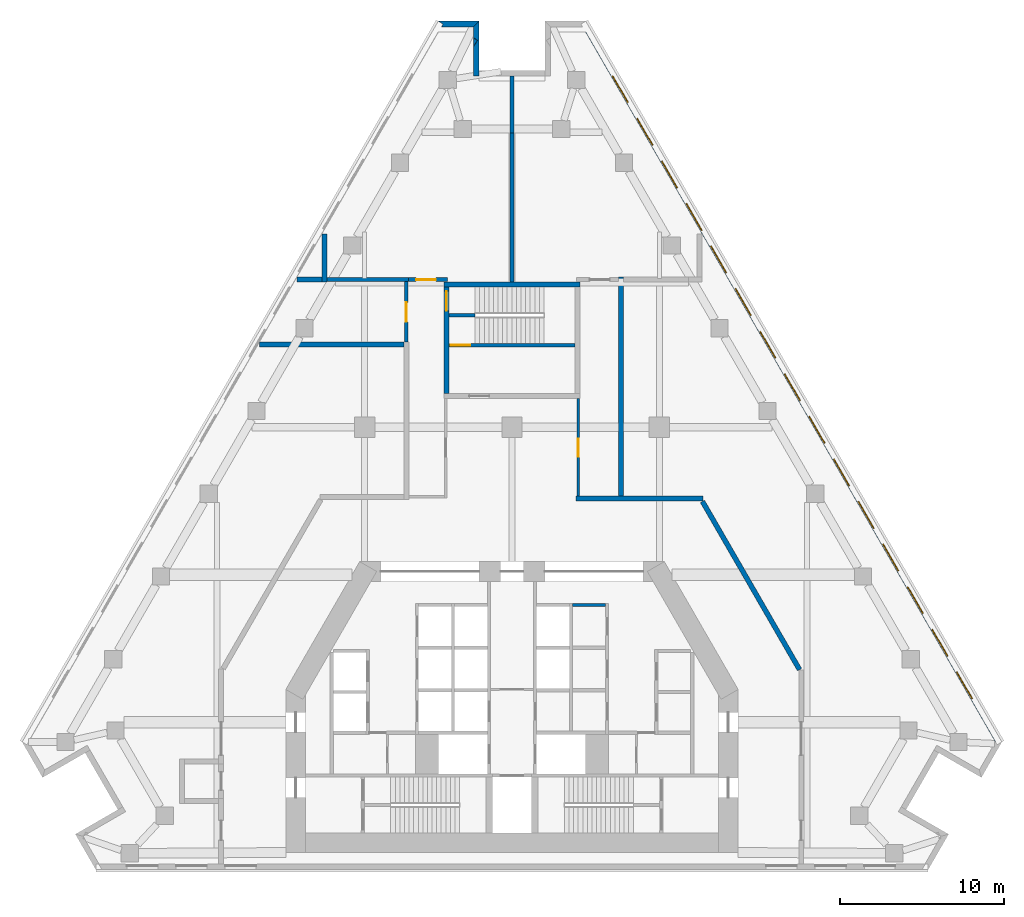
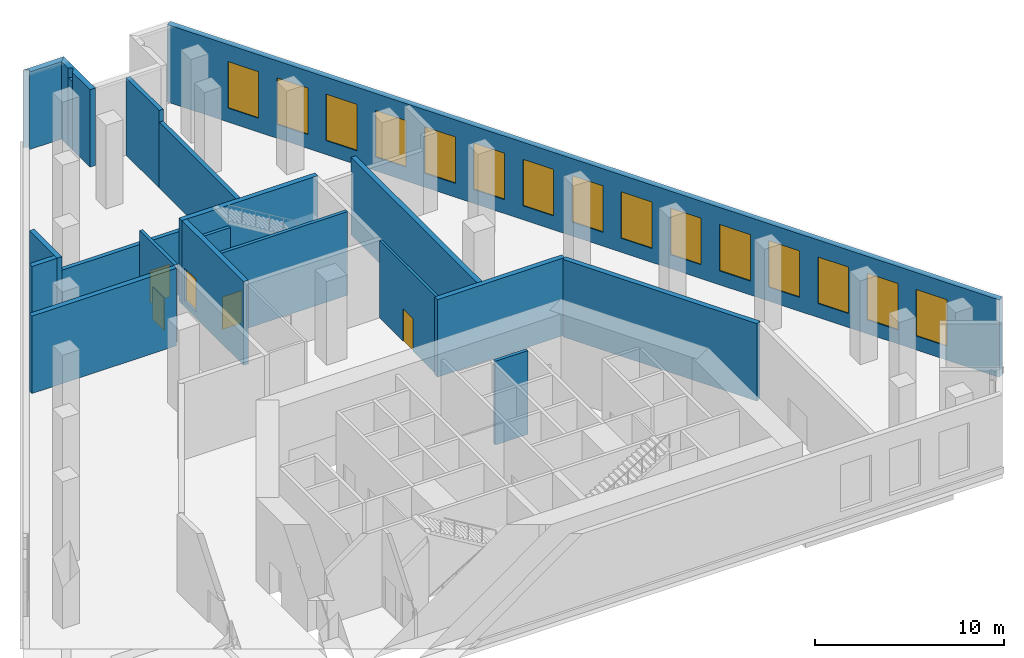
# One storey, part 8 of 10: 21 walls, 15 windows, 5 doors, 20 openings.
"""IFC4 building model written with IfcOpenShell, lengths in metres."""

import ifcopenshell
import ifcopenshell.guid

model = None  # the IFC model being written
_history = None  # IfcOwnerHistory: only IFC2X3 demands one
_inside = {}  # id of a spatial element -> (the spatial element, [elements in it])
_under = {}  # id of a project, library or spatial element -> (it, [spatial elements below it])
_declared = {}  # id of a project -> (the project, [libraries it declares])
_typed = {}  # id of a type object -> (the type object, [elements of that type])
_made_of = {}  # id of a material, layer set ... -> (it, [elements and type objects made of it])


def new_model(schema):
    """Start an empty IFC model of exactly this schema.

    Asked for "IFC4X3", IfcOpenShell would pick the latest addendum, in which some entities
    have other attributes; the version numbers below select the first issue.
    IFC2X3 requires an IfcOwnerHistory on every rooted entity: one is made here for all.
    """
    global model, _history
    if schema == "IFC4X3":
        model = ifcopenshell.file(schema_version=(4, 3, 0, 0))
    else:
        model = ifcopenshell.file(schema=schema)
    _inside.clear()
    _under.clear()
    _declared.clear()
    _typed.clear()
    _made_of.clear()
    _history = None
    if model.schema == "IFC2X3":
        org = make("IfcOrganization", Name="unknown")
        user = make(
            "IfcPersonAndOrganization",
            ThePerson=make("IfcPerson", FamilyName="unknown"),
            TheOrganization=org,
        )
        app = make(
            "IfcApplication",
            ApplicationDeveloper=org,
            Version="unknown",
            ApplicationFullName="unknown",
            ApplicationIdentifier="unknown",
        )
        _history = make(
            "IfcOwnerHistory",
            OwningUser=user,
            OwningApplication=app,
            ChangeAction="ADDED",
            CreationDate=0,
        )
    return model


def make(cls, **values):
    """One entity of the class cls with the attributes given. An attribute that is None is left unset."""
    return model.create_entity(
        cls, **{name: value for name, value in values.items() if value is not None}
    )


def rooted(cls, **values):
    """An entity with a GlobalId (a new one), such as an element, a storey or a relation."""
    return make(cls, GlobalId=ifcopenshell.guid.new(), OwnerHistory=_history, **values)


def si_unit(unit_type, name, prefix=None):
    """IfcSIUnit, for example si_unit("LENGTHUNIT", "METRE", prefix="MILLI")."""
    return make("IfcSIUnit", UnitType=unit_type, Prefix=prefix, Name=name)


def assignment(units):
    """IfcUnitAssignment: the units of a project."""
    return None if units is None else make("IfcUnitAssignment", Units=units)


def point(xyz):
    """IfcCartesianPoint."""
    return None if xyz is None else make("IfcCartesianPoint", Coordinates=xyz)


def direction(xyz):
    """IfcDirection."""
    return None if xyz is None else make("IfcDirection", DirectionRatios=xyz)


def frame(location, z_axis=None, x_axis=None):
    """IfcAxis2Placement3D, a coordinate frame: its origin and axes. An axis left out is left unset."""
    return make(
        "IfcAxis2Placement3D",
        Location=point(location),
        Axis=direction(z_axis),
        RefDirection=direction(x_axis),
    )


def frame_2d(location, x_axis=None):
    """IfcAxis2Placement2D, a coordinate frame in the plane: its origin and x axis."""
    return make(
        "IfcAxis2Placement2D", Location=point(location), RefDirection=direction(x_axis)
    )


def origin():
    """The frame at (0, 0, 0) with its axes left unset."""
    return frame((0.0, 0.0, 0.0))


def place(relative_to, where):
    """IfcLocalPlacement: puts the frame where relative to a parent placement (None: the world)."""
    return make(
        "IfcLocalPlacement", PlacementRelTo=relative_to, RelativePlacement=where
    )


def context(
    kind, dimensions, precision=None, world=None, true_north=None, identifier=None
):
    """IfcGeometricRepresentationContext, for example the 3D "Model" context."""
    return make(
        "IfcGeometricRepresentationContext",
        ContextIdentifier=identifier,
        ContextType=kind,
        CoordinateSpaceDimension=dimensions,
        Precision=precision,
        WorldCoordinateSystem=world,
        TrueNorth=true_north,
    )


def subcontext(parent, identifier, kind, view, scale=None):
    """IfcGeometricRepresentationSubContext, for example "Body" below "Model"."""
    return make(
        "IfcGeometricRepresentationSubContext",
        ContextIdentifier=identifier,
        ContextType=kind,
        ParentContext=parent,
        TargetScale=scale,
        TargetView=view,
    )


def project(units=None, contexts=None):
    """IfcProject with its units and contexts."""
    return rooted(
        "IfcProject",
        Name="project",
        RepresentationContexts=contexts,
        UnitsInContext=assignment(units),
    )


def spatial(cls, under=None, at=None, **own):
    """A site, building, storey or space (cls), placed at a placement, below another one or the project."""
    s = rooted(cls, ObjectPlacement=at, **own)
    if under is not None:
        _under.setdefault(under.id(), (under, []))[1].append(s)
    return s


def polyline(points):
    """IfcPolyline through the points."""
    return make("IfcPolyline", Points=[point(p) for p in points])


def profile(cls, at=None, kind="AREA", **sizes):
    """A parametric profile (cls). Its sizes go by their IFC names, for example OverallWidth=200.0."""
    return make(cls, ProfileType=kind, Position=at, **sizes)


def rectangle(**sizes):
    """IfcRectangleProfileDef."""
    return profile("IfcRectangleProfileDef", **sizes)


def outline(outer, holes=None, kind="AREA"):
    """IfcArbitraryClosedProfileDef: a profile drawn as a closed curve; with holes, ...WithVoids."""
    if holes is None:
        return make("IfcArbitraryClosedProfileDef", ProfileType=kind, OuterCurve=outer)
    return make(
        "IfcArbitraryProfileDefWithVoids",
        ProfileType=kind,
        OuterCurve=outer,
        InnerCurves=holes,
    )


def extrude(swept, where, along, depth):
    """IfcExtrudedAreaSolid: the profile swept, set in the frame where, extruded along a direction by depth."""
    return make(
        "IfcExtrudedAreaSolid",
        SweptArea=swept,
        Position=where,
        ExtrudedDirection=direction(along),
        Depth=depth,
    )


def shape(context_of_items, identifier, shape_type, items):
    """IfcShapeRepresentation: the items that make up one representation, for example the "Body"."""
    return make(
        "IfcShapeRepresentation",
        ContextOfItems=context_of_items,
        RepresentationIdentifier=identifier,
        RepresentationType=shape_type,
        Items=items,
    )


def material(Name=None, Category=None):
    """IfcMaterial."""
    return make("IfcMaterial", Name=Name, Category=Category)


def layer(
    of_material, thickness, ventilated=None, Name=None, Category=None, Priority=None
):
    """IfcMaterialLayer: one layer of a wall or slab, of a material (None: an air gap)."""
    return make(
        "IfcMaterialLayer",
        Material=of_material,
        LayerThickness=thickness,
        IsVentilated=ventilated,
        Name=Name,
        Category=Category,
        Priority=Priority,
    )


def layer_set(layers, Name=None):
    """IfcMaterialLayerSet."""
    return make("IfcMaterialLayerSet", MaterialLayers=layers, LayerSetName=Name)


def made_of(thing, what):
    """Note that an element or type object is made of a material, layer set ...; save() writes the relation."""
    if what is not None:
        _made_of.setdefault(what.id(), (what, []))[1].append(thing)
    return thing


def type_object(cls, material=None, **own):
    """A type object (cls), such as IfcWallType, which elements share."""
    return made_of(rooted(cls, **own), material)


def element(
    cls,
    number,
    at=None,
    inside=None,
    cuts=None,
    type_object=None,
    material=None,
    context=None,
    identifier="Body",
    shape_type=None,
    held_by="IfcProductDefinitionShape",
    body=None,
    shapes=None,
    **own,
):
    """One element of the class cls, such as IfcWall. Its Tag is "e" and its number.

    at: its placement. inside: the storey or other place that contains it. cuts: it is an
    opening in that element (IfcRelVoidsElement). A single representation is given by context,
    identifier, shape_type and body (its items); several are given by shapes. held_by: the class
    of the entity that holds the representations. save() writes the other relations.
    """
    e = rooted(cls, Tag="e%d" % number, ObjectPlacement=at, **own)
    if body is not None:
        shapes = [shape(context, identifier, shape_type, body)]
    if shapes is not None:
        e.Representation = make(held_by, Representations=shapes)
    if inside is not None:
        _inside.setdefault(inside.id(), (inside, []))[1].append(e)
    if cuts is not None:
        rooted(
            "IfcRelVoidsElement", RelatingBuildingElement=cuts, RelatedOpeningElement=e
        )
    if type_object is not None:
        _typed.setdefault(type_object.id(), (type_object, []))[1].append(e)
    return made_of(e, material)


def fill(opening, filler):
    """IfcRelFillsElement: the door or window that sits in an opening."""
    return rooted(
        "IfcRelFillsElement",
        RelatingOpeningElement=opening,
        RelatedBuildingElement=filler,
    )


def aggregate(whole, parts):
    """IfcRelAggregates: a whole, such as a stair, and the parts it consists of."""
    return rooted("IfcRelAggregates", RelatingObject=whole, RelatedObjects=parts)


def save(model, path):
    """Write the relations noted so far, then the file.

    IfcRelAggregates (storeys below a building ...), IfcRelContainedInSpatialStructure (elements
    in a storey), IfcRelDefinesByType, IfcRelAssociatesMaterial and IfcRelDeclares: one each for
    every whole, place, type object, material and project.
    """
    for whole, parts in _under.values():
        aggregate(whole, parts)
    for where, things in _inside.values():
        rooted(
            "IfcRelContainedInSpatialStructure",
            RelatedElements=things,
            RelatingStructure=where,
        )
    for kind, things in _typed.values():
        rooted("IfcRelDefinesByType", RelatedObjects=things, RelatingType=kind)
    for what, things in _made_of.values():
        rooted("IfcRelAssociatesMaterial", RelatedObjects=things, RelatingMaterial=what)
    for by, libraries in _declared.values():
        rooted("IfcRelDeclares", RelatingContext=by, RelatedDefinitions=libraries)
    model.write(path)


model = new_model("IFC4")

# Units and contexts
model_context = context("Model", 3, precision=1e-05, world=origin(), true_north=direction((0.0, 1.0)))
body_context = subcontext(model_context, "Body", "Model", "MODEL_VIEW")
ifc_project = project(units=[si_unit("LENGTHUNIT", "METRE"), si_unit("AREAUNIT", "SQUARE_METRE"), si_unit("VOLUMEUNIT", "CUBIC_METRE"), si_unit("PLANEANGLEUNIT", "RADIAN"), si_unit("MASSUNIT", "GRAM", prefix="KILO")], contexts=[model_context])

# Site, building, storey
site_placement = place(None, origin())
site = spatial("IfcSite", under=ifc_project, at=site_placement, CompositionType="ELEMENT")
building_placement = place(site_placement, origin())
building = spatial("IfcBuilding", under=site, at=building_placement, Name="Fogline Exchange Tower", CompositionType="ELEMENT")
storey_placement = place(building_placement, frame((0.0, 0.0, 132.10009765625)))
storey = spatial("IfcBuildingStorey", under=building, at=storey_placement, Name="L29", CompositionType="ELEMENT", Elevation=132.10009765625)

# Wall
ifc_material_1 = material(Name="Concrete C40", Category="concrete")
ifc_layer_1 = layer(ifc_material_1, 0.199951171875)
ifc_layer_set_1 = layer_set([ifc_layer_1], Name="CW20B")
wall_type_1 = type_object("IfcWallType", Name="CW20B", PredefinedType="SOLIDWALL", material=ifc_layer_set_1)
wall_1_placement = place(storey_placement, frame((-3.85009765625, 33.83203125, 0.0), z_axis=(0.0, 0.0, 1.0), x_axis=(1.0, 0.0, 0.0)))
element("IfcWall", 1, at=wall_1_placement, inside=storey, type_object=wall_type_1, Name="Stair separation wall ST3", PredefinedType="SOLIDWALL", context=body_context, shape_type="SweptSolid", body=[
    extrude(rectangle(XDim=1.60009765625, YDim=0.199951171875, at=frame_2d((0.800048828125, 0.0))), origin(), (0.0, 0.0, 1.0), 5.0),
])

# Wall, opening, door
ifc_layer_2 = layer(ifc_material_1, 0.199951171875)
ifc_layer_set_2 = layer_set([ifc_layer_2], Name="CW20R")
wall_type_2 = type_object("IfcWallType", Name="CW20R", PredefinedType="SOLIDWALL", material=ifc_layer_set_2)
wall_2_placement = place(storey_placement, frame((-3.85009765625, 32.007080078125, -0.400146484375), z_axis=(0.0, 0.0, 1.0), x_axis=(1.0, 0.0, 0.0)))
wall_2 = element("IfcWall", 2, at=wall_2_placement, inside=storey, type_object=wall_type_2, Name="Stair enclosure wall ST3", PredefinedType="SOLIDWALL", context=body_context, shape_type="SweptSolid", body=[
    extrude(rectangle(XDim=7.7001953125, YDim=0.199951171875, at=frame_2d((3.85009765625, 0.0))), origin(), (0.0, 0.0, 1.0), 5.400146484375),
])
opening_1_placement = place(wall_2_placement, frame((0.10009765625, 0.0, 0.39990234375)))
opening_1 = element("IfcOpeningElement", 3, at=opening_1_placement, cuts=wall_2, Name="Opening L29-C024", PredefinedType="OPENING", context=body_context, shape_type="SweptSolid", body=[
    extrude(rectangle(XDim=1.199951171875, YDim=2.10009765625, at=frame_2d((0.60009765625, 1.050048828125))), frame((0.0, 0.10986328125, 0.0), z_axis=(0.0, -1.0, 0.0), x_axis=(1.0, 0.0, 0.0)), (0.0, 0.0, 1.0), 0.219970703125),
])
ifc_material_2 = material(Name="Steel and timber fire door", Category="steel")
door_type_1 = type_object("IfcDoorType", Name="D-ST1", OperationType="SINGLE_SWING_LEFT", PredefinedType="DOOR", material=ifc_material_2)
door_1_placement = place(opening_1_placement, origin())
door_1 = element("IfcDoor", 4, at=door_1_placement, inside=storey, type_object=door_type_1, Name="Stair door ST3", OperationType="SINGLE_SWING_LEFT", OverallHeight=2.10009765625, OverallWidth=1.199951171875, PredefinedType="DOOR", context=body_context, shape_type="SweptSolid", body=[
    extrude(rectangle(XDim=1.199951171875, YDim=2.10009765625, at=frame_2d((0.60009765625, 1.050048828125))), frame((0.0, 0.02490234375, 0.0), z_axis=(0.0, -1.0, 0.0), x_axis=(1.0, 0.0, 0.0)), (0.0, 0.0, 1.0), 0.050048828125),
])
fill(opening_1, door_1)

# Walls
ifc_layer_3 = layer(ifc_material_1, 0.199951171875)
ifc_layer_set_3 = layer_set([ifc_layer_3], Name="CW20S")
wall_type_3 = type_object("IfcWallType", Name="CW20S", PredefinedType="SOLIDWALL", material=ifc_layer_set_3)
wall_3_placement = place(storey_placement, frame((3.699951171875, 16.14990234375, -0.400146484375), z_axis=(0.0, 0.0, 1.0), x_axis=(1.0, 0.0, 0.0)))
element("IfcWall", 5, at=wall_3_placement, inside=storey, type_object=wall_type_3, Name="Lift shaft wall", PredefinedType="SOLIDWALL", context=body_context, shape_type="SweptSolid", body=[
    extrude(rectangle(XDim=2.0, YDim=0.199951171875, at=frame_2d((1.0, 0.0))), origin(), (0.0, 0.0, 1.0), 5.400146484375),
])
ifc_layer_4 = layer(ifc_material_1, 0.300048828125)
ifc_layer_set_4 = layer_set([ifc_layer_4], Name="CW30")
wall_type_4 = type_object("IfcWallType", Name="CW30", PredefinedType="SOLIDWALL", material=ifc_layer_set_4)
wall_4_placement = place(storey_placement, frame((-4.14990234375, 35.70703125, -0.400146484375), z_axis=(0.0, 0.0, 1.0), x_axis=(1.0, 0.0, 0.0)))
element("IfcWall", 6, at=wall_4_placement, inside=storey, type_object=wall_type_4, Name="Stair enclosure wall ST3", PredefinedType="SOLIDWALL", context=body_context, shape_type="SweptSolid", body=[
    extrude(rectangle(XDim=8.2998046875, YDim=0.300048828125, at=frame_2d((4.14990234375, 0.0))), origin(), (0.0, 0.0, 1.0), 5.400146484375),
])

# Wall, opening, door
wall_5_placement = place(storey_placement, frame((-4.0, 29.056884765625, -0.400146484375), z_axis=(0.0, 0.0, 1.0), x_axis=(0.0, 1.0, 0.0)))
wall_5 = element("IfcWall", 7, at=wall_5_placement, inside=storey, type_object=wall_type_4, Name="Stair enclosure wall ST3", PredefinedType="SOLIDWALL", context=body_context, shape_type="SweptSolid", body=[
    extrude(rectangle(XDim=6.5, YDim=0.300048828125, at=frame_2d((3.25, 0.0))), origin(), (0.0, 0.0, 1.0), 5.400146484375),
])
opening_2_placement = place(wall_5_placement, frame((5.050048828125, 0.0, 0.39990234375)))
opening_2 = element("IfcOpeningElement", 8, at=opening_2_placement, cuts=wall_5, Name="Opening L29-C025", PredefinedType="OPENING", context=body_context, shape_type="SweptSolid", body=[
    extrude(rectangle(XDim=1.199951171875, YDim=2.10009765625, at=frame_2d((0.60009765625, 1.050048828125))), frame((0.0, 0.16015625, 0.0), z_axis=(0.0, -1.0, 0.0), x_axis=(1.0, 0.0, 0.0)), (0.0, 0.0, 1.0), 0.320068359375),
])
door_2_placement = place(opening_2_placement, origin())
door_2 = element("IfcDoor", 9, at=door_2_placement, inside=storey, type_object=door_type_1, Name="Stair arrival door ST3", OperationType="SINGLE_SWING_RIGHT", OverallHeight=2.10009765625, OverallWidth=1.199951171875, PredefinedType="DOOR", context=body_context, shape_type="SweptSolid", body=[
    extrude(rectangle(XDim=1.199951171875, YDim=2.10009765625, at=frame_2d((0.60009765625, 1.050048828125))), frame((0.0, 0.02490234375, 0.0), z_axis=(0.0, -1.0, 0.0), x_axis=(1.0, 0.0, 0.0)), (0.0, 0.0, 1.0), 0.050048828125),
])
fill(opening_2, door_2)

# Wall, openings, windows
ifc_material_3 = material(Name="Brick masonry", Category="masonry")
ifc_layer_5 = layer(ifc_material_3, 0.340087890625)
ifc_layer_set_5 = layer_set([ifc_layer_5], Name="FW3")
wall_type_5 = type_object("IfcWallType", Name="FW3", PredefinedType="SOLIDWALL", material=ifc_layer_set_5)
wall_6_placement = place(storey_placement, frame((29.74609375, 7.709228515625, 0.0), z_axis=(0.0, 0.0, 1.0), x_axis=(-0.500000700546, 0.866024999324, 0.0)))
wall_6 = element("IfcWall", 10, at=wall_6_placement, inside=storey, type_object=wall_type_5, Name="Brick wall L29 E", PredefinedType="SOLIDWALL", context=body_context, shape_type="SweptSolid", body=[
    extrude(rectangle(XDim=50.78662109375, YDim=0.340087890625, at=frame_2d((25.393310546875, 0.0))), origin(), (0.0, 0.0, 1.0), 5.0),
])
opening_3_placement = place(wall_6_placement, frame((3.196533203125, 0.0, 0.89990234375)))
opening_3 = element("IfcOpeningElement", 11, at=opening_3_placement, cuts=wall_6, Name="Opening W6", PredefinedType="OPENING", context=body_context, shape_type="SweptSolid", body=[
    extrude(rectangle(XDim=1.885009765625, YDim=3.0, at=frame_2d((0.9423828125, 1.5))), frame((0.0, 0.18017578125, 0.0), z_axis=(0.0, -1.0, 0.0), x_axis=(1.0, 0.0, 0.0)), (0.0, 0.0, 1.0), 0.360107421875),
])
opening_4_placement = place(wall_6_placement, frame((6.196533203125, 0.0, 0.89990234375)))
opening_4 = element("IfcOpeningElement", 12, at=opening_4_placement, cuts=wall_6, Name="Opening W6", PredefinedType="OPENING", context=body_context, shape_type="SweptSolid", body=[
    extrude(rectangle(XDim=1.885009765625, YDim=3.0, at=frame_2d((0.9423828125, 1.5))), frame((0.0, 0.18017578125, 0.0), z_axis=(0.0, -1.0, 0.0), x_axis=(1.0, 0.0, 0.0)), (0.0, 0.0, 1.0), 0.360107421875),
])
opening_5_placement = place(wall_6_placement, frame((9.196533203125, 0.0, 0.89990234375)))
opening_5 = element("IfcOpeningElement", 13, at=opening_5_placement, cuts=wall_6, Name="Opening W6", PredefinedType="OPENING", context=body_context, shape_type="SweptSolid", body=[
    extrude(rectangle(XDim=1.885009765625, YDim=3.0, at=frame_2d((0.9423828125, 1.5))), frame((0.0, 0.18017578125, 0.0), z_axis=(0.0, -1.0, 0.0), x_axis=(1.0, 0.0, 0.0)), (0.0, 0.0, 1.0), 0.360107421875),
])
opening_6_placement = place(wall_6_placement, frame((12.196533203125, 0.0, 0.89990234375)))
opening_6 = element("IfcOpeningElement", 14, at=opening_6_placement, cuts=wall_6, Name="Opening W6", PredefinedType="OPENING", context=body_context, shape_type="SweptSolid", body=[
    extrude(rectangle(XDim=1.885009765625, YDim=3.0, at=frame_2d((0.9423828125, 1.5))), frame((0.0, 0.18017578125, 0.0), z_axis=(0.0, -1.0, 0.0), x_axis=(1.0, 0.0, 0.0)), (0.0, 0.0, 1.0), 0.360107421875),
])
opening_7_placement = place(wall_6_placement, frame((15.196533203125, 0.0, 0.89990234375)))
opening_7 = element("IfcOpeningElement", 15, at=opening_7_placement, cuts=wall_6, Name="Opening W6", PredefinedType="OPENING", context=body_context, shape_type="SweptSolid", body=[
    extrude(rectangle(XDim=1.885009765625, YDim=3.0, at=frame_2d((0.9423828125, 1.5))), frame((0.0, 0.18017578125, 0.0), z_axis=(0.0, -1.0, 0.0), x_axis=(1.0, 0.0, 0.0)), (0.0, 0.0, 1.0), 0.360107421875),
])
opening_8_placement = place(wall_6_placement, frame((18.196533203125, 0.0, 0.89990234375)))
opening_8 = element("IfcOpeningElement", 16, at=opening_8_placement, cuts=wall_6, Name="Opening W6", PredefinedType="OPENING", context=body_context, shape_type="SweptSolid", body=[
    extrude(rectangle(XDim=1.885009765625, YDim=3.0, at=frame_2d((0.9423828125, 1.5))), frame((0.0, 0.18017578125, 0.0), z_axis=(0.0, -1.0, 0.0), x_axis=(1.0, 0.0, 0.0)), (0.0, 0.0, 1.0), 0.360107421875),
])
opening_9_placement = place(wall_6_placement, frame((21.196533203125, 0.0, 0.89990234375)))
opening_9 = element("IfcOpeningElement", 17, at=opening_9_placement, cuts=wall_6, Name="Opening W6", PredefinedType="OPENING", context=body_context, shape_type="SweptSolid", body=[
    extrude(rectangle(XDim=1.885009765625, YDim=3.0, at=frame_2d((0.9423828125, 1.5))), frame((0.0, 0.18017578125, 0.0), z_axis=(0.0, -1.0, 0.0), x_axis=(1.0, 0.0, 0.0)), (0.0, 0.0, 1.0), 0.360107421875),
])
opening_10_placement = place(wall_6_placement, frame((24.196533203125, 0.0, 0.89990234375)))
opening_10 = element("IfcOpeningElement", 18, at=opening_10_placement, cuts=wall_6, Name="Opening W6", PredefinedType="OPENING", context=body_context, shape_type="SweptSolid", body=[
    extrude(rectangle(XDim=1.885009765625, YDim=3.0, at=frame_2d((0.9423828125, 1.5))), frame((0.0, 0.18017578125, 0.0), z_axis=(0.0, -1.0, 0.0), x_axis=(1.0, 0.0, 0.0)), (0.0, 0.0, 1.0), 0.360107421875),
])
opening_11_placement = place(wall_6_placement, frame((27.196533203125, 0.0, 0.89990234375)))
opening_11 = element("IfcOpeningElement", 19, at=opening_11_placement, cuts=wall_6, Name="Opening W6", PredefinedType="OPENING", context=body_context, shape_type="SweptSolid", body=[
    extrude(rectangle(XDim=1.885009765625, YDim=3.0, at=frame_2d((0.9423828125, 1.5))), frame((0.0, 0.18017578125, 0.0), z_axis=(0.0, -1.0, 0.0), x_axis=(1.0, 0.0, 0.0)), (0.0, 0.0, 1.0), 0.360107421875),
])
opening_12_placement = place(wall_6_placement, frame((30.196533203125, 0.0, 0.89990234375)))
opening_12 = element("IfcOpeningElement", 20, at=opening_12_placement, cuts=wall_6, Name="Opening W6", PredefinedType="OPENING", context=body_context, shape_type="SweptSolid", body=[
    extrude(rectangle(XDim=1.885009765625, YDim=3.0, at=frame_2d((0.9423828125, 1.5))), frame((0.0, 0.18017578125, 0.0), z_axis=(0.0, -1.0, 0.0), x_axis=(1.0, 0.0, 0.0)), (0.0, 0.0, 1.0), 0.360107421875),
])
opening_13_placement = place(wall_6_placement, frame((33.196533203125, 0.0, 0.89990234375)))
opening_13 = element("IfcOpeningElement", 21, at=opening_13_placement, cuts=wall_6, Name="Opening W6", PredefinedType="OPENING", context=body_context, shape_type="SweptSolid", body=[
    extrude(rectangle(XDim=1.885009765625, YDim=3.0, at=frame_2d((0.9423828125, 1.5))), frame((0.0, 0.18017578125, 0.0), z_axis=(0.0, -1.0, 0.0), x_axis=(1.0, 0.0, 0.0)), (0.0, 0.0, 1.0), 0.360107421875),
])
opening_14_placement = place(wall_6_placement, frame((36.196533203125, 0.0, 0.89990234375)))
opening_14 = element("IfcOpeningElement", 22, at=opening_14_placement, cuts=wall_6, Name="Opening W6", PredefinedType="OPENING", context=body_context, shape_type="SweptSolid", body=[
    extrude(rectangle(XDim=1.885009765625, YDim=3.0, at=frame_2d((0.9423828125, 1.5))), frame((0.0, 0.18017578125, 0.0), z_axis=(0.0, -1.0, 0.0), x_axis=(1.0, 0.0, 0.0)), (0.0, 0.0, 1.0), 0.360107421875),
])
opening_15_placement = place(wall_6_placement, frame((39.196533203125, 0.0, 0.89990234375)))
opening_15 = element("IfcOpeningElement", 23, at=opening_15_placement, cuts=wall_6, Name="Opening W6", PredefinedType="OPENING", context=body_context, shape_type="SweptSolid", body=[
    extrude(rectangle(XDim=1.885009765625, YDim=3.0, at=frame_2d((0.9423828125, 1.5))), frame((0.0, 0.18017578125, 0.0), z_axis=(0.0, -1.0, 0.0), x_axis=(1.0, 0.0, 0.0)), (0.0, 0.0, 1.0), 0.360107421875),
])
opening_16_placement = place(wall_6_placement, frame((42.196533203125, 0.0, 0.89990234375)))
opening_16 = element("IfcOpeningElement", 24, at=opening_16_placement, cuts=wall_6, Name="Opening W6", PredefinedType="OPENING", context=body_context, shape_type="SweptSolid", body=[
    extrude(rectangle(XDim=1.885009765625, YDim=3.0, at=frame_2d((0.9423828125, 1.5))), frame((0.0, 0.18017578125, 0.0), z_axis=(0.0, -1.0, 0.0), x_axis=(1.0, 0.0, 0.0)), (0.0, 0.0, 1.0), 0.360107421875),
])
opening_17_placement = place(wall_6_placement, frame((45.196533203125, 0.0, 0.89990234375)))
opening_17 = element("IfcOpeningElement", 25, at=opening_17_placement, cuts=wall_6, Name="Opening W6", PredefinedType="OPENING", context=body_context, shape_type="SweptSolid", body=[
    extrude(rectangle(XDim=1.885009765625, YDim=3.0, at=frame_2d((0.9423828125, 1.5))), frame((0.0, 0.18017578125, 0.0), z_axis=(0.0, -1.0, 0.0), x_axis=(1.0, 0.0, 0.0)), (0.0, 0.0, 1.0), 0.360107421875),
])
ifc_material_4 = material(Name="Aluminium louvre", Category="aluminium")
window_type = type_object("IfcWindowType", Name="W6", PartitioningType="SINGLE_PANEL", PredefinedType="WINDOW", material=ifc_material_4)
window_1_placement = place(opening_3_placement, origin())
window_1 = element("IfcWindow", 26, at=window_1_placement, inside=storey, type_object=window_type, Name="W6 W6", OverallHeight=3.0, OverallWidth=1.885009765625, PartitioningType="SINGLE_PANEL", PredefinedType="WINDOW", context=body_context, shape_type="SweptSolid", body=[
    extrude(rectangle(XDim=1.885009765625, YDim=3.0, at=frame_2d((0.9423828125, 1.5))), frame((0.0, 0.110107421875, 0.0), z_axis=(0.0, -1.0, 0.0), x_axis=(1.0, 0.0, 0.0)), (0.0, 0.0, 1.0), 0.06005859375),
])
fill(opening_3, window_1)
window_2_placement = place(opening_4_placement, origin())
window_2 = element("IfcWindow", 27, at=window_2_placement, inside=storey, type_object=window_type, Name="W6 W6", OverallHeight=3.0, OverallWidth=1.885009765625, PartitioningType="SINGLE_PANEL", PredefinedType="WINDOW", context=body_context, shape_type="SweptSolid", body=[
    extrude(rectangle(XDim=1.885009765625, YDim=3.0, at=frame_2d((0.9423828125, 1.5))), frame((0.0, 0.110107421875, 0.0), z_axis=(0.0, -1.0, 0.0), x_axis=(1.0, 0.0, 0.0)), (0.0, 0.0, 1.0), 0.06005859375),
])
fill(opening_4, window_2)
window_3_placement = place(opening_5_placement, origin())
window_3 = element("IfcWindow", 28, at=window_3_placement, inside=storey, type_object=window_type, Name="W6 W6", OverallHeight=3.0, OverallWidth=1.885009765625, PartitioningType="SINGLE_PANEL", PredefinedType="WINDOW", context=body_context, shape_type="SweptSolid", body=[
    extrude(rectangle(XDim=1.885009765625, YDim=3.0, at=frame_2d((0.9423828125, 1.5))), frame((0.0, 0.110107421875, 0.0), z_axis=(0.0, -1.0, 0.0), x_axis=(1.0, 0.0, 0.0)), (0.0, 0.0, 1.0), 0.06005859375),
])
fill(opening_5, window_3)
window_4_placement = place(opening_6_placement, origin())
window_4 = element("IfcWindow", 29, at=window_4_placement, inside=storey, type_object=window_type, Name="W6 W6", OverallHeight=3.0, OverallWidth=1.885009765625, PartitioningType="SINGLE_PANEL", PredefinedType="WINDOW", context=body_context, shape_type="SweptSolid", body=[
    extrude(rectangle(XDim=1.885009765625, YDim=3.0, at=frame_2d((0.9423828125, 1.5))), frame((0.0, 0.110107421875, 0.0), z_axis=(0.0, -1.0, 0.0), x_axis=(1.0, 0.0, 0.0)), (0.0, 0.0, 1.0), 0.06005859375),
])
fill(opening_6, window_4)
window_5_placement = place(opening_7_placement, origin())
window_5 = element("IfcWindow", 30, at=window_5_placement, inside=storey, type_object=window_type, Name="W6 W6", OverallHeight=3.0, OverallWidth=1.885009765625, PartitioningType="SINGLE_PANEL", PredefinedType="WINDOW", context=body_context, shape_type="SweptSolid", body=[
    extrude(rectangle(XDim=1.885009765625, YDim=3.0, at=frame_2d((0.9423828125, 1.5))), frame((0.0, 0.110107421875, 0.0), z_axis=(0.0, -1.0, 0.0), x_axis=(1.0, 0.0, 0.0)), (0.0, 0.0, 1.0), 0.06005859375),
])
fill(opening_7, window_5)
window_6_placement = place(opening_8_placement, origin())
window_6 = element("IfcWindow", 31, at=window_6_placement, inside=storey, type_object=window_type, Name="W6 W6", OverallHeight=3.0, OverallWidth=1.885009765625, PartitioningType="SINGLE_PANEL", PredefinedType="WINDOW", context=body_context, shape_type="SweptSolid", body=[
    extrude(rectangle(XDim=1.885009765625, YDim=3.0, at=frame_2d((0.9423828125, 1.5))), frame((0.0, 0.110107421875, 0.0), z_axis=(0.0, -1.0, 0.0), x_axis=(1.0, 0.0, 0.0)), (0.0, 0.0, 1.0), 0.06005859375),
])
fill(opening_8, window_6)
window_7_placement = place(opening_9_placement, origin())
window_7 = element("IfcWindow", 32, at=window_7_placement, inside=storey, type_object=window_type, Name="W6 W6", OverallHeight=3.0, OverallWidth=1.885009765625, PartitioningType="SINGLE_PANEL", PredefinedType="WINDOW", context=body_context, shape_type="SweptSolid", body=[
    extrude(rectangle(XDim=1.885009765625, YDim=3.0, at=frame_2d((0.9423828125, 1.5))), frame((0.0, 0.110107421875, 0.0), z_axis=(0.0, -1.0, 0.0), x_axis=(1.0, 0.0, 0.0)), (0.0, 0.0, 1.0), 0.06005859375),
])
fill(opening_9, window_7)
window_8_placement = place(opening_10_placement, origin())
window_8 = element("IfcWindow", 33, at=window_8_placement, inside=storey, type_object=window_type, Name="W6 W6", OverallHeight=3.0, OverallWidth=1.885009765625, PartitioningType="SINGLE_PANEL", PredefinedType="WINDOW", context=body_context, shape_type="SweptSolid", body=[
    extrude(rectangle(XDim=1.885009765625, YDim=3.0, at=frame_2d((0.9423828125, 1.5))), frame((0.0, 0.110107421875, 0.0), z_axis=(0.0, -1.0, 0.0), x_axis=(1.0, 0.0, 0.0)), (0.0, 0.0, 1.0), 0.06005859375),
])
fill(opening_10, window_8)
window_9_placement = place(opening_11_placement, origin())
window_9 = element("IfcWindow", 34, at=window_9_placement, inside=storey, type_object=window_type, Name="W6 W6", OverallHeight=3.0, OverallWidth=1.885009765625, PartitioningType="SINGLE_PANEL", PredefinedType="WINDOW", context=body_context, shape_type="SweptSolid", body=[
    extrude(rectangle(XDim=1.885009765625, YDim=3.0, at=frame_2d((0.9423828125, 1.5))), frame((0.0, 0.110107421875, 0.0), z_axis=(0.0, -1.0, 0.0), x_axis=(1.0, 0.0, 0.0)), (0.0, 0.0, 1.0), 0.06005859375),
])
fill(opening_11, window_9)
window_10_placement = place(opening_12_placement, origin())
window_10 = element("IfcWindow", 35, at=window_10_placement, inside=storey, type_object=window_type, Name="W6 W6", OverallHeight=3.0, OverallWidth=1.885009765625, PartitioningType="SINGLE_PANEL", PredefinedType="WINDOW", context=body_context, shape_type="SweptSolid", body=[
    extrude(rectangle(XDim=1.885009765625, YDim=3.0, at=frame_2d((0.9423828125, 1.5))), frame((0.0, 0.110107421875, 0.0), z_axis=(0.0, -1.0, 0.0), x_axis=(1.0, 0.0, 0.0)), (0.0, 0.0, 1.0), 0.06005859375),
])
fill(opening_12, window_10)
window_11_placement = place(opening_13_placement, origin())
window_11 = element("IfcWindow", 36, at=window_11_placement, inside=storey, type_object=window_type, Name="W6 W6", OverallHeight=3.0, OverallWidth=1.885009765625, PartitioningType="SINGLE_PANEL", PredefinedType="WINDOW", context=body_context, shape_type="SweptSolid", body=[
    extrude(rectangle(XDim=1.885009765625, YDim=3.0, at=frame_2d((0.9423828125, 1.5))), frame((0.0, 0.110107421875, 0.0), z_axis=(0.0, -1.0, 0.0), x_axis=(1.0, 0.0, 0.0)), (0.0, 0.0, 1.0), 0.06005859375),
])
fill(opening_13, window_11)
window_12_placement = place(opening_14_placement, origin())
window_12 = element("IfcWindow", 37, at=window_12_placement, inside=storey, type_object=window_type, Name="W6 W6", OverallHeight=3.0, OverallWidth=1.885009765625, PartitioningType="SINGLE_PANEL", PredefinedType="WINDOW", context=body_context, shape_type="SweptSolid", body=[
    extrude(rectangle(XDim=1.885009765625, YDim=3.0, at=frame_2d((0.9423828125, 1.5))), frame((0.0, 0.110107421875, 0.0), z_axis=(0.0, -1.0, 0.0), x_axis=(1.0, 0.0, 0.0)), (0.0, 0.0, 1.0), 0.06005859375),
])
fill(opening_14, window_12)
window_13_placement = place(opening_15_placement, origin())
window_13 = element("IfcWindow", 38, at=window_13_placement, inside=storey, type_object=window_type, Name="W6 W6", OverallHeight=3.0, OverallWidth=1.885009765625, PartitioningType="SINGLE_PANEL", PredefinedType="WINDOW", context=body_context, shape_type="SweptSolid", body=[
    extrude(rectangle(XDim=1.885009765625, YDim=3.0, at=frame_2d((0.9423828125, 1.5))), frame((0.0, 0.110107421875, 0.0), z_axis=(0.0, -1.0, 0.0), x_axis=(1.0, 0.0, 0.0)), (0.0, 0.0, 1.0), 0.06005859375),
])
fill(opening_15, window_13)
window_14_placement = place(opening_16_placement, origin())
window_14 = element("IfcWindow", 39, at=window_14_placement, inside=storey, type_object=window_type, Name="W6 W6", OverallHeight=3.0, OverallWidth=1.885009765625, PartitioningType="SINGLE_PANEL", PredefinedType="WINDOW", context=body_context, shape_type="SweptSolid", body=[
    extrude(rectangle(XDim=1.885009765625, YDim=3.0, at=frame_2d((0.9423828125, 1.5))), frame((0.0, 0.110107421875, 0.0), z_axis=(0.0, -1.0, 0.0), x_axis=(1.0, 0.0, 0.0)), (0.0, 0.0, 1.0), 0.06005859375),
])
fill(opening_16, window_14)
window_15_placement = place(opening_17_placement, origin())
window_15 = element("IfcWindow", 40, at=window_15_placement, inside=storey, type_object=window_type, Name="W6 W6", OverallHeight=3.0, OverallWidth=1.885009765625, PartitioningType="SINGLE_PANEL", PredefinedType="WINDOW", context=body_context, shape_type="SweptSolid", body=[
    extrude(rectangle(XDim=1.885009765625, YDim=3.0, at=frame_2d((0.9423828125, 1.5))), frame((0.0, 0.110107421875, 0.0), z_axis=(0.0, -1.0, 0.0), x_axis=(1.0, 0.0, 0.0)), (0.0, 0.0, 1.0), 0.06005859375),
])
fill(opening_17, window_15)

# Walls
wall_7_placement = place(storey_placement, origin())
element("IfcWall", 41, at=wall_7_placement, inside=storey, type_object=wall_type_5, Name="Brick wall L29 N-s2", PredefinedType="SOLIDWALL", context=body_context, shape_type="SweptSolid", body=[
    extrude(outline(polyline([(-2.340576171875, 50.751708984375), (-2.11376953125, 50.603515625), (-2.340576171875, 50.255859375), (-2.340576171875, 50.751708984375)])), origin(), (0.0, 0.0, 1.0), 4.39990234375),
])
wall_8_placement = place(storey_placement, origin())
element("IfcWall", 42, at=wall_8_placement, inside=storey, type_object=wall_type_5, Name="Brick wall L29 N-s2", PredefinedType="SOLIDWALL", context=body_context, shape_type="SweptSolid", body=[
    extrude(outline(polyline([(-1.99951171875, 48.43603515625), (-2.340576171875, 48.43603515625), (-2.340576171875, 50.255859375), (-2.11376953125, 50.603515625), (-2.340576171875, 50.751708984375), (-2.340576171875, 51.43701171875), (-1.999755859375, 51.77783203125), (-1.99951171875, 51.777587890625), (-1.99951171875, 48.43603515625)])), origin(), (0.0, 0.0, 1.0), 5.0),
])
wall_9_placement = place(storey_placement, origin())
element("IfcWall", 43, at=wall_9_placement, inside=storey, type_object=wall_type_5, Name="Brick wall L29 N-c2", PredefinedType="SOLIDWALL", context=body_context, shape_type="SweptSolid", body=[
    extrude(outline(polyline([(-4.3046875, 51.43603515625), (-4.206298828125, 51.6064453125), (-4.501220703125, 51.776611328125), (-4.5009765625, 51.77734375), (-1.9990234375, 51.77734375), (-1.998779296875, 51.77685546875), (-2.33984375, 51.43603515625), (-4.3046875, 51.43603515625)])), origin(), (0.0, 0.0, 1.0), 5.0),
])

# Wall, opening, door
ifc_material_5 = material(Name="Plasterboard on steel stud", Category="steel")
ifc_layer_6 = layer(ifc_material_5, 0.14990234375)
ifc_layer_set_6 = layer_set([ifc_layer_6], Name="PP1")
wall_type_6 = type_object("IfcWallType", Name="PP1", PredefinedType="PARTITIONING", material=ifc_layer_set_6)
wall_10_placement = place(storey_placement, frame((4.050048828125, 28.757080078125, 0.0), z_axis=(0.0, 0.0, 1.0), x_axis=(0.0, -1.0, 0.0)))
wall_10 = element("IfcWall", 44, at=wall_10_placement, inside=storey, type_object=wall_type_6, Name="PP1 partition", PredefinedType="PARTITIONING", context=body_context, shape_type="SweptSolid", body=[
    extrude(rectangle(XDim=5.95703125, YDim=0.14990234375, at=frame_2d((2.978515625, 0.0))), origin(), (0.0, 0.0, 1.0), 5.0),
])
opening_18_placement = place(wall_10_placement, frame((2.464111328125, 0.0, 0.0)))
opening_18 = element("IfcOpeningElement", 45, at=opening_18_placement, cuts=wall_10, Name="Opening L29-D003", PredefinedType="OPENING", context=body_context, shape_type="SweptSolid", body=[
    extrude(rectangle(XDim=1.10009765625, YDim=2.10009765625, at=frame_2d((0.550048828125, 1.050048828125))), frame((0.0, 0.0849609375, 0.0), z_axis=(0.0, -1.0, 0.0), x_axis=(1.0, 0.0, 0.0)), (0.0, 0.0, 1.0), 0.169921875),
])
ifc_material_6 = material(Name="Steel Q235B", Category="steel")
door_type_2 = type_object("IfcDoorType", Name="PD5", OperationType="SINGLE_SWING_LEFT", PredefinedType="DOOR", material=ifc_material_6)
door_3_placement = place(opening_18_placement, origin())
door_3 = element("IfcDoor", 46, at=door_3_placement, inside=storey, type_object=door_type_2, Name="L29-D003", OperationType="SINGLE_SWING_RIGHT", OverallHeight=2.10009765625, OverallWidth=1.10009765625, PredefinedType="DOOR", context=body_context, shape_type="SweptSolid", body=[
    extrude(rectangle(XDim=1.10009765625, YDim=2.10009765625, at=frame_2d((0.550048828125, 1.050048828125))), frame((0.0, 0.02490234375, 0.0), z_axis=(0.0, -1.0, 0.0), x_axis=(1.0, 0.0, 0.0)), (0.0, 0.0, 1.0), 0.050048828125),
])
fill(opening_18, door_3)

ifc_material_7 = material(Name="Concrete block masonry", Category="masonry")
ifc_layer_7 = layer(ifc_material_7, 0.199951171875)
ifc_layer_set_7 = layer_set([ifc_layer_7], Name="PP2")
wall_type_7 = type_object("IfcWallType", Name="PP2", PredefinedType="PARTITIONING", material=ifc_layer_set_7)
wall_11_placement = place(storey_placement, frame((-6.449951171875, 32.199951171875, 0.0), z_axis=(0.0, 0.0, 1.0), x_axis=(0.0, 1.0, 0.0)))
wall_11 = element("IfcWall", 47, at=wall_11_placement, inside=storey, type_object=wall_type_7, Name="PP2 partition", PredefinedType="PARTITIONING", context=body_context, shape_type="SweptSolid", body=[
    extrude(rectangle(XDim=3.68115234375, YDim=0.199951171875, at=frame_2d((1.840576171875, 0.0))), origin(), (0.0, 0.0, 1.0), 5.0),
])
opening_19_placement = place(wall_11_placement, frame((1.22802734375, 0.0, 0.0)))
opening_19 = element("IfcOpeningElement", 48, at=opening_19_placement, cuts=wall_11, Name="Opening L29-D006", PredefinedType="OPENING", context=body_context, shape_type="SweptSolid", body=[
    extrude(rectangle(XDim=1.199951171875, YDim=2.10009765625, at=frame_2d((0.60009765625, 1.050048828125))), frame((0.0, 0.10986328125, 0.0), z_axis=(0.0, -1.0, 0.0), x_axis=(1.0, 0.0, 0.0)), (0.0, 0.0, 1.0), 0.219970703125),
])
door_type_3 = type_object("IfcDoorType", Name="PD7", OperationType="SINGLE_SWING_LEFT", PredefinedType="DOOR", material=ifc_material_6)
door_4_placement = place(opening_19_placement, origin())
door_4 = element("IfcDoor", 49, at=door_4_placement, inside=storey, type_object=door_type_3, Name="L29-D006", OperationType="SINGLE_SWING_LEFT", OverallHeight=2.10009765625, OverallWidth=1.199951171875, PredefinedType="DOOR", context=body_context, shape_type="SweptSolid", body=[
    extrude(rectangle(XDim=1.199951171875, YDim=2.10009765625, at=frame_2d((0.60009765625, 1.050048828125))), frame((0.0, 0.02490234375, 0.0), z_axis=(0.0, -1.0, 0.0), x_axis=(1.0, 0.0, 0.0)), (0.0, 0.0, 1.0), 0.050048828125),
])
fill(opening_19, door_4)

# Walls
ifc_layer_8 = layer(ifc_material_1, 0.25)
ifc_layer_set_8 = layer_set([ifc_layer_8], Name="PP3")
wall_type_8 = type_object("IfcWallType", Name="PP3", PredefinedType="SOLIDWALL", material=ifc_layer_set_8)
wall_12_placement = place(storey_placement, frame((0.0, 48.436767578125, 0.0), z_axis=(0.0, 0.0, 1.0), x_axis=(0.0, -1.0, 0.0)))
element("IfcWall", 50, at=wall_12_placement, inside=storey, type_object=wall_type_8, Name="PP3 partition", PredefinedType="SOLIDWALL", context=body_context, shape_type="SweptSolid", body=[
    extrude(rectangle(XDim=3.489990234375, YDim=0.25, at=frame_2d((1.7451171875, 0.0))), origin(), (0.0, 0.0, 1.0), 5.0),
])
wall_13_placement = place(storey_placement, frame((-6.324951171875, 36.006103515625, 0.0), z_axis=(0.0, 0.0, 1.0), x_axis=(-1.0, 0.0, 0.0)))
element("IfcWall", 51, at=wall_13_placement, inside=storey, type_object=wall_type_8, Name="PP3 partition", PredefinedType="SOLIDWALL", context=body_context, shape_type="SweptSolid", body=[
    extrude(rectangle(XDim=4.97509765625, YDim=0.25, at=frame_2d((2.487548828125, 0.0))), origin(), (0.0, 0.0, 1.0), 4.099853515625),
])

# Wall, opening, door
wall_14_placement = place(storey_placement, frame((-6.324951171875, 36.007080078125, 0.0), z_axis=(0.0, 0.0, 1.0), x_axis=(1.0, 0.0, 0.0)))
wall_14 = element("IfcWall", 52, at=wall_14_placement, inside=storey, type_object=wall_type_8, Name="PP3 partition", PredefinedType="SOLIDWALL", context=body_context, shape_type="SweptSolid", body=[
    extrude(rectangle(XDim=2.39990234375, YDim=0.25, at=frame_2d((1.199951171875, 0.0))), origin(), (0.0, 0.0, 1.0), 4.099853515625),
])
opening_20_placement = place(wall_14_placement, frame((0.47509765625, 0.0, 0.0)))
opening_20 = element("IfcOpeningElement", 53, at=opening_20_placement, cuts=wall_14, Name="Opening L29-D004", PredefinedType="OPENING", context=body_context, shape_type="SweptSolid", body=[
    extrude(rectangle(XDim=1.199951171875, YDim=2.10009765625, at=frame_2d((0.60009765625, 1.050048828125))), frame((0.0, 0.135009765625, 0.0), z_axis=(0.0, -1.0, 0.0), x_axis=(1.0, 0.0, 0.0)), (0.0, 0.0, 1.0), 0.27001953125),
])
door_5_placement = place(opening_20_placement, origin())
door_5 = element("IfcDoor", 54, at=door_5_placement, inside=storey, type_object=door_type_3, Name="L29-D004", OperationType="SINGLE_SWING_LEFT", OverallHeight=2.10009765625, OverallWidth=1.199951171875, PredefinedType="DOOR", context=body_context, shape_type="SweptSolid", body=[
    extrude(rectangle(XDim=1.199951171875, YDim=2.10009765625, at=frame_2d((0.60009765625, 1.050048828125))), frame((0.0, 0.02490234375, 0.0), z_axis=(0.0, -1.0, 0.0), x_axis=(1.0, 0.0, 0.0)), (0.0, 0.0, 1.0), 0.050048828125),
])
fill(opening_20, door_5)

# Walls
wall_15_placement = place(storey_placement, frame((0.0, 44.94677734375, 0.0), z_axis=(0.0, 0.0, 1.0), x_axis=(0.0, -1.0, 0.0)))
element("IfcWall", 55, at=wall_15_placement, inside=storey, type_object=wall_type_8, Name="PP3 partition", PredefinedType="SOLIDWALL", context=body_context, shape_type="SweptSolid", body=[
    extrude(rectangle(XDim=9.08984375, YDim=0.25, at=frame_2d((4.544921875, 0.0))), origin(), (0.0, 0.0, 1.0), 4.25),
])
ifc_layer_9 = layer(ifc_material_1, 0.300048828125)
ifc_layer_set_9 = layer_set([ifc_layer_9], Name="PP4")
wall_type_9 = type_object("IfcWallType", Name="PP4", PredefinedType="SOLIDWALL", material=ifc_layer_set_9)
wall_16_placement = place(storey_placement, frame((6.64990234375, 36.156005859375, 0.0), z_axis=(0.0, 0.0, 1.0), x_axis=(0.0, -1.0, 0.0)))
element("IfcWall", 56, at=wall_16_placement, inside=storey, type_object=wall_type_9, Name="PP4 partition", PredefinedType="SOLIDWALL", context=body_context, shape_type="SweptSolid", body=[
    extrude(rectangle(XDim=13.35693359375, YDim=0.300048828125, at=frame_2d((6.678466796875, 0.0))), origin(), (0.0, 0.0, 1.0), 5.0),
])
wall_17_placement = place(storey_placement, frame((11.62060546875, 22.47412109375, 0.0), z_axis=(0.0, 0.0, 1.0), x_axis=(0.499991059272, -0.866030565655, 0.0)))
element("IfcWall", 57, at=wall_17_placement, inside=storey, type_object=wall_type_9, Name="PP4 partition", PredefinedType="SOLIDWALL", context=body_context, shape_type="SweptSolid", body=[
    extrude(rectangle(XDim=11.854248046875, YDim=0.300048828125, at=frame_2d((5.92724609375, 0.0))), origin(), (0.0, 0.0, 1.0), 5.0),
])
wall_18_placement = place(storey_placement, frame((-15.409912109375, 32.050048828125, 0.0), z_axis=(0.0, 0.0, 1.0), x_axis=(1.0, 0.0, 0.0)))
element("IfcWall", 58, at=wall_18_placement, inside=storey, type_object=wall_type_9, Name="PP4 partition", PredefinedType="SOLIDWALL", context=body_context, shape_type="SweptSolid", body=[
    extrude(rectangle(XDim=8.809814453125, YDim=0.300048828125, at=frame_2d((4.40478515625, 0.0))), origin(), (0.0, 0.0, 1.0), 5.0),
])
wall_19_placement = place(storey_placement, frame((3.89990234375, 22.64990234375, 0.0), z_axis=(0.0, 0.0, 1.0), x_axis=(1.0, 0.0, 0.0)))
element("IfcWall", 59, at=wall_19_placement, inside=storey, type_object=wall_type_9, Name="PP4 partition", PredefinedType="SOLIDWALL", context=body_context, shape_type="SweptSolid", body=[
    extrude(rectangle(XDim=7.767333984375, YDim=0.300048828125, at=frame_2d((3.8837890625, 0.0))), origin(), (0.0, 0.0, 1.0), 5.0),
])
wall_20_placement = place(storey_placement, frame((-11.449951171875, 35.85693359375, 0.0), z_axis=(0.0, 0.0, 1.0), x_axis=(0.0, 1.0, 0.0)))
element("IfcWall", 60, at=wall_20_placement, inside=storey, type_object=wall_type_9, Name="PP4 partition", PredefinedType="SOLIDWALL", context=body_context, shape_type="SweptSolid", body=[
    extrude(rectangle(XDim=2.942138671875, YDim=0.300048828125, at=frame_2d((1.47119140625, 0.0))), origin(), (0.0, 0.0, 1.0), 5.0),
])
wall_21_placement = place(storey_placement, frame((-11.60009765625, 36.007080078125, 0.0), z_axis=(0.0, 0.0, 1.0), x_axis=(-1.0, 0.0, 0.0)))
element("IfcWall", 61, at=wall_21_placement, inside=storey, type_object=wall_type_9, Name="PP4 partition", PredefinedType="SOLIDWALL", context=body_context, shape_type="SweptSolid", body=[
    extrude(rectangle(XDim=1.525390625, YDim=0.300048828125, at=frame_2d((0.7626953125, 0.0))), origin(), (0.0, 0.0, 1.0), 5.0),
])

save(model, "model.ifc")
